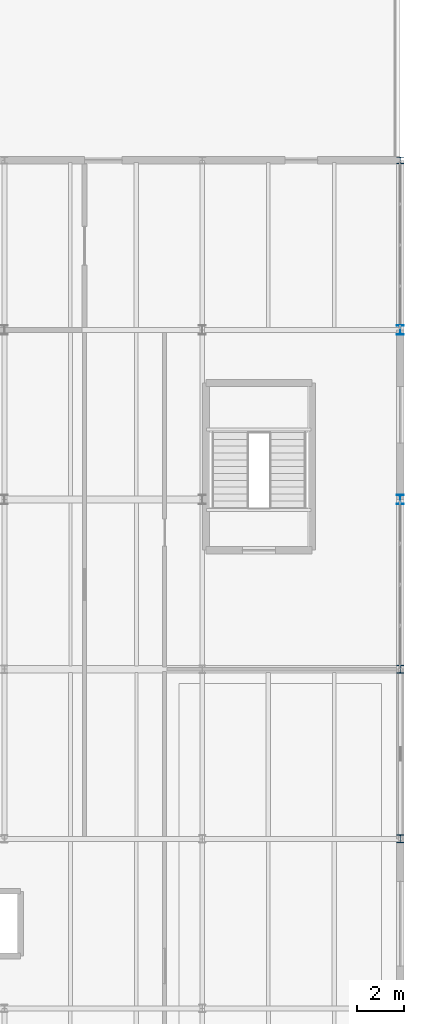
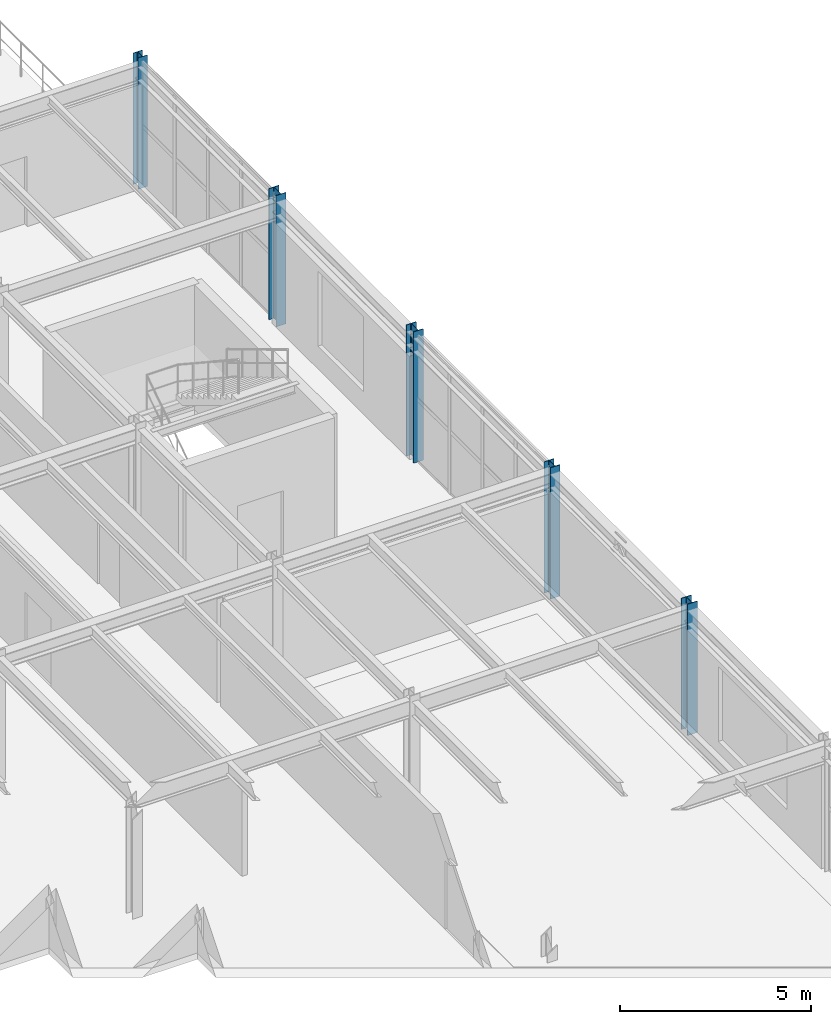
# One storey, part 17 of 73: 5 columns.
"""IFC4 building model written with IfcOpenShell, lengths in metres."""

from ifc_helpers import new_model, si_unit, derived_unit, direction, frame, origin, origin_2d, place, context, subcontext, project, spatial, i_section, extrude, material, material_profile, profile_set, type_object, element, save


model = new_model("IFC4")

# Units and contexts
model_context = context("Model", 3, precision=1e-05, world=origin(), true_north=direction((0.0, 1.0)))
body_context = subcontext(model_context, "Body", "Model", "MODEL_VIEW")
ifc_project = project(units=[si_unit("LENGTHUNIT", "METRE"), si_unit("AREAUNIT", "SQUARE_METRE"), si_unit("VOLUMEUNIT", "CUBIC_METRE"), si_unit("PLANEANGLEUNIT", "RADIAN"), si_unit("MASSUNIT", "GRAM", prefix="KILO"), derived_unit("THERMALTRANSMITTANCEUNIT", [(si_unit("MASSUNIT", "GRAM", prefix="KILO"), 1), (si_unit("TIMEUNIT", "SECOND"), -3), (si_unit("THERMODYNAMICTEMPERATUREUNIT", "KELVIN"), -1)])], contexts=[model_context])

# Site, building, storey
site_placement = place(None, origin())
site = spatial("IfcSite", under=ifc_project, at=site_placement, CompositionType="ELEMENT")
building_placement = place(site_placement, origin())
building = spatial("IfcBuilding", under=site, at=building_placement, Name="Kharveza Railside Sports Centre", CompositionType="ELEMENT")
storey_placement = place(building_placement, frame((0.0, 0.0, 8.699951171875)))
storey = spatial("IfcBuildingStorey", under=building, at=storey_placement, Name="L02", CompositionType="ELEMENT", Elevation=8.699951171875)

# Columns
ifc_material = material(Name="Steel S355J2", Category="steel")
ifc_material_profile_1 = material_profile(ifc_material, i_section(OverallWidth=0.300048828125, OverallDepth=0.340087890625, WebThickness=0.011962890625, FlangeThickness=0.021484375, FilletRadius=0.027099609375, at=origin_2d()), Name="HEB 340")
ifc_profile_set_1 = profile_set([ifc_material_profile_1], Name="Steel S355J2")
column_type_1 = type_object("IfcColumnType", Name="COL-S06", PredefinedType="COLUMN", material=ifc_profile_set_1)
for number, where, z_axis, x_axis, name in (
    (1, (168.0, 64.800048828125, 0.0), (0.0, 0.0, 1.0), (1.0, 0.0, 0.0), "COL-G-C06-X1680-Y648-L02"),
    (2, (168.0, 72.0, 0.0), (0.0, 0.0, 1.0), (1.0, 0.0, 0.0), "COL-G-C06-X1680-Y720-L02"),
):
    element("IfcColumn", number, at=place(storey_placement, frame(where, z_axis=z_axis, x_axis=x_axis)), inside=storey, type_object=column_type_1, Name=name, PredefinedType="COLUMN", context=body_context, shape_type="SweptSolid", body=[
        extrude(i_section(OverallWidth=0.300048828125, OverallDepth=0.340087890625, WebThickness=0.011962890625, FlangeThickness=0.021484375, FilletRadius=0.027099609375, at=origin_2d()), origin(), (0.0, 0.0, 1.0), 4.199951171875),
    ])
ifc_material_profile_2 = material_profile(ifc_material, i_section(OverallWidth=0.300048828125, OverallDepth=0.389892578125, WebThickness=0.010986328125, FlangeThickness=0.01904296875, FilletRadius=0.027099609375, at=origin_2d()), Name="HEA 400")
ifc_profile_set_2 = profile_set([ifc_material_profile_2], Name="Steel S355J2")
column_type_2 = type_object("IfcColumnType", Name="COL-S10", PredefinedType="COLUMN", material=ifc_profile_set_2)
for number, where, z_axis, x_axis, name in (
    (3, (168.0, 79.199951171875, 0.0), (0.0, 0.0, 1.0), (1.0, 0.0, 0.0), "COL-G-C10-X1680-Y792-L02"),
    (4, (168.0, 86.39990234375, 0.0), (0.0, 0.0, 1.0), (1.0, 0.0, 0.0), "COL-G-C10-X1680-Y864-L02"),
):
    element("IfcColumn", number, at=place(storey_placement, frame(where, z_axis=z_axis, x_axis=x_axis)), inside=storey, type_object=column_type_2, Name=name, PredefinedType="COLUMN", context=body_context, shape_type="SweptSolid", body=[
        extrude(i_section(OverallWidth=0.300048828125, OverallDepth=0.389892578125, WebThickness=0.010986328125, FlangeThickness=0.01904296875, FilletRadius=0.027099609375, at=origin_2d()), origin(), (0.0, 0.0, 1.0), 4.199951171875),
    ])
ifc_material_profile_3 = material_profile(ifc_material, i_section(OverallWidth=0.280029296875, OverallDepth=0.27001953125, WebThickness=0.008056640625, FlangeThickness=0.012939453125, FilletRadius=0.02392578125, at=origin_2d()), Name="HEA 280")
ifc_profile_set_3 = profile_set([ifc_material_profile_3], Name="Steel S355J2")
column_type_3 = type_object("IfcColumnType", Name="COL-S13", PredefinedType="COLUMN", material=ifc_profile_set_3)
column_placement = place(storey_placement, frame((168.0, 93.60009765625, 0.0), z_axis=(0.0, 0.0, 1.0), x_axis=(1.0, 0.0, 0.0)))
element("IfcColumn", 5, at=column_placement, inside=storey, type_object=column_type_3, Name="COL-G-C13-X1680-Y936-L02", PredefinedType="COLUMN", context=body_context, shape_type="SweptSolid", body=[
    extrude(i_section(OverallWidth=0.280029296875, OverallDepth=0.27001953125, WebThickness=0.008056640625, FlangeThickness=0.012939453125, FilletRadius=0.02392578125, at=origin_2d()), origin(), (0.0, 0.0, 1.0), 4.199951171875),
])

save(model, "model.ifc")
